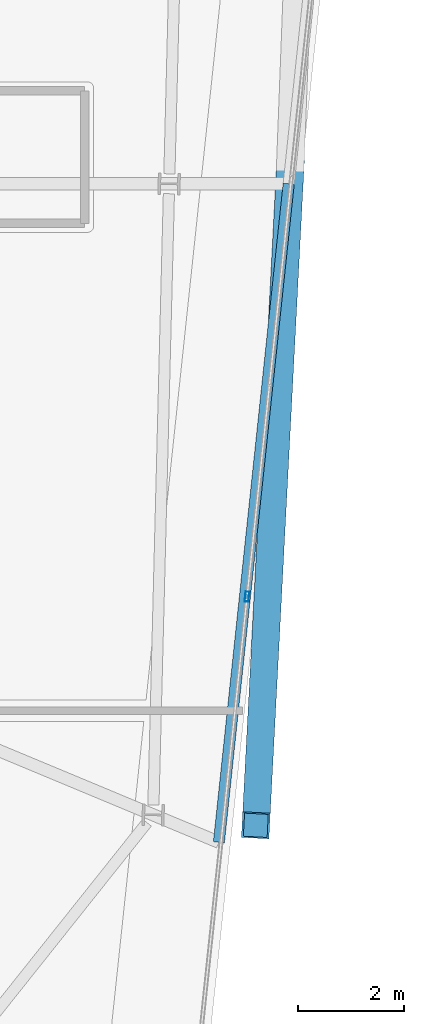
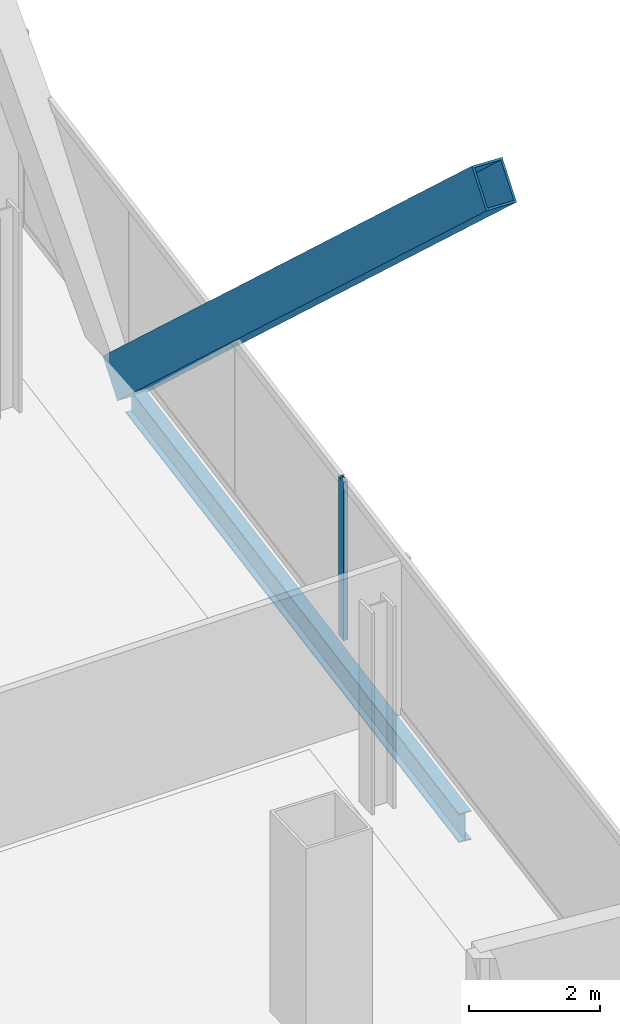
# One storey, part 9 of 24: 2 members, 1 beam, 1 element without a shape of its own.
"""IFC4 building model written with IfcOpenShell, lengths in metres."""

from ifc_helpers import new_model, si_unit, direction, frame, origin, origin_2d, place, context, subcontext, project, spatial, hollow_rectangle, i_section, extrude, material, material_profile, profile_set, type_object, element, aggregate, save


model = new_model("IFC4")

# Units and contexts
model_context = context("Model", 3, precision=1e-05, world=origin(), true_north=direction((0.0, 1.0)))
body_context = subcontext(model_context, "Body", "Model", "MODEL_VIEW")
ifc_project = project(units=[si_unit("LENGTHUNIT", "METRE"), si_unit("AREAUNIT", "SQUARE_METRE"), si_unit("VOLUMEUNIT", "CUBIC_METRE"), si_unit("PLANEANGLEUNIT", "RADIAN"), si_unit("MASSUNIT", "GRAM", prefix="KILO")], contexts=[model_context])

# Site, building, storey
site_placement = place(None, origin())
site = spatial("IfcSite", under=ifc_project, at=site_placement, CompositionType="ELEMENT")
building_placement = place(site_placement, origin())
building = spatial("IfcBuilding", under=site, at=building_placement, Name="Haldenkirk Collegiate Tower", CompositionType="ELEMENT")
storey_placement = place(building_placement, frame((0.0, 0.0, 310.199951171875)))
storey = spatial("IfcBuildingStorey", under=building, at=storey_placement, Name="L78", CompositionType="ELEMENT", Elevation=310.199951171875)

# Beam
ifc_material_1 = material(Name="Steel ASTM A992 Grade 50", Category="steel")
ifc_material_profile_1 = material_profile(ifc_material_1, i_section(OverallWidth=0.2099609375, OverallDepth=0.537109375, WebThickness=0.010986328125, FlangeThickness=0.017333984375, at=origin_2d()), Name="W21X68")
ifc_profile_set_1 = profile_set([ifc_material_profile_1], Name="Steel ASTM A992 Grade 50")
beam_type = type_object("IfcBeamType", Name="BM-SPANDREL-W21X68", PredefinedType="SPANDREL", material=ifc_profile_set_1)
beam_placement = place(storey_placement, frame((56.8330078125, 13.06689453125, -0.528564453125), z_axis=(0.105398531131, 0.994430062717, 0.0), x_axis=(-0.994430062717, 0.105398531131, 0.0)))
element("IfcBeam", 1, at=beam_placement, inside=storey, type_object=beam_type, Name="L78 outer facade edge beam 1A", PredefinedType="SPANDREL", context=body_context, shape_type="SweptSolid", body=[
    extrude(i_section(OverallWidth=0.2099609375, OverallDepth=0.537109375, WebThickness=0.010986328125, FlangeThickness=0.017333984375, at=origin_2d()), origin(), (0.0, 0.0, 1.0), 12.4990234375),
])

# Curtain wall, member
ifc_material_2 = material(Name="Anodised architectural bronze aluminium", Category="aluminium")
curtain_wall_type = type_object("IfcCurtainWallType", Name="CW-SYS2-CONCAVE", PredefinedType="USERDEFINED", material=ifc_material_2)
curtain_wall_placement = place(storey_placement, origin())
curtain_wall = element("IfcCurtainWall", 2, at=curtain_wall_placement, inside=storey, type_object=curtain_wall_type, Name="L78 South concave recessed bronze-anodised curtain wall", ObjectType="UNITISED CURTAIN WALL", PredefinedType="USERDEFINED")
ifc_material_profile_2 = material_profile(ifc_material_2, hollow_rectangle(XDim=0.074951171875, YDim=0.18994140625, WallThickness=0.0048828125, at=origin_2d()), Name="CW-MUL-02")
ifc_profile_set_2 = profile_set([ifc_material_profile_2], Name="Anodised architectural bronze aluminium")
member_type_1 = type_object("IfcMemberType", Name="CW-MUL-02", PredefinedType="MULLION", material=ifc_profile_set_2)
member_1_placement = place(storey_placement, frame((57.364501953125, 17.7021484375, 0.0), z_axis=(0.0, 0.0, 1.0), x_axis=(0.994430496515, -0.105394438184, 0.0)))
member_1 = element("IfcMember", 3, at=member_1_placement, type_object=member_type_1, Name="CW-02 mullion 3", PredefinedType="MULLION", context=body_context, shape_type="SweptSolid", body=[
    extrude(hollow_rectangle(XDim=0.074951171875, YDim=0.18994140625, WallThickness=0.0048828125, at=origin_2d()), origin(), (0.0, 0.0, 1.0), 2.947998046875),
])
aggregate(curtain_wall, [member_1])

# Member
ifc_material_3 = material(Name="Steel ASTM A572 Grade 50", Category="steel")
ifc_material_profile_3 = material_profile(ifc_material_3, hollow_rectangle(XDim=0.52001953125, YDim=0.719970703125, WallThickness=0.035888671875, at=origin_2d()), Name="BOX720X520X36")
ifc_profile_set_3 = profile_set([ifc_material_profile_3], Name="Steel ASTM A572 Grade 50")
member_type_2 = type_object("IfcMemberType", Name="MBR-MEGABRACE-BOX720X520X36", PredefinedType="BRACE", material=ifc_profile_set_3)
member_2_placement = place(storey_placement, frame((58.176513671875, 25.743896484375, -0.27001953125), z_axis=(-0.038657741401, -0.738891338939, 0.672714774827), x_axis=(0.998634186666, -0.052247116873, 0.0)))
element("IfcMember", 4, at=member_2_placement, inside=storey, type_object=member_type_2, Name="Perimeter Mega Brace Z6 L78-L80 SL", PredefinedType="BRACE", context=body_context, shape_type="SweptSolid", body=[
    extrude(hollow_rectangle(XDim=0.52001953125, YDim=0.719970703125, WallThickness=0.035888671875, at=origin_2d()), origin(), (0.0, 0.0, 1.0), 16.723388671875),
])

save(model, "model.ifc")
